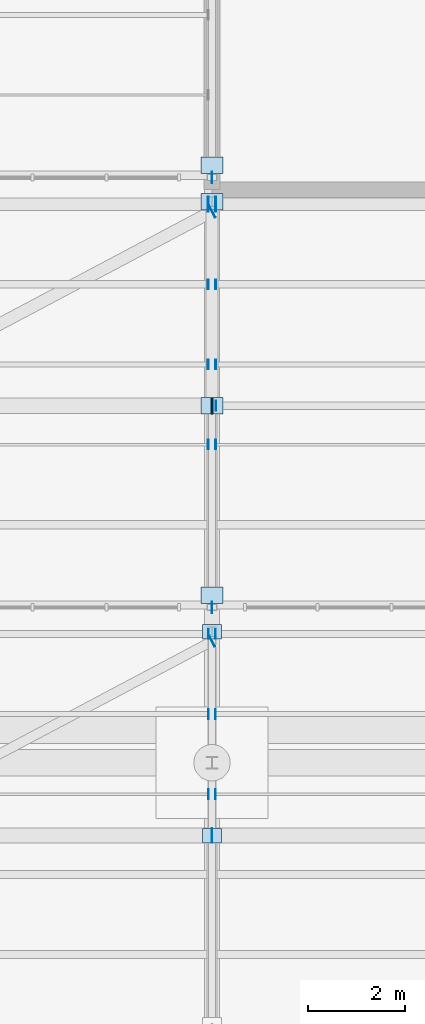
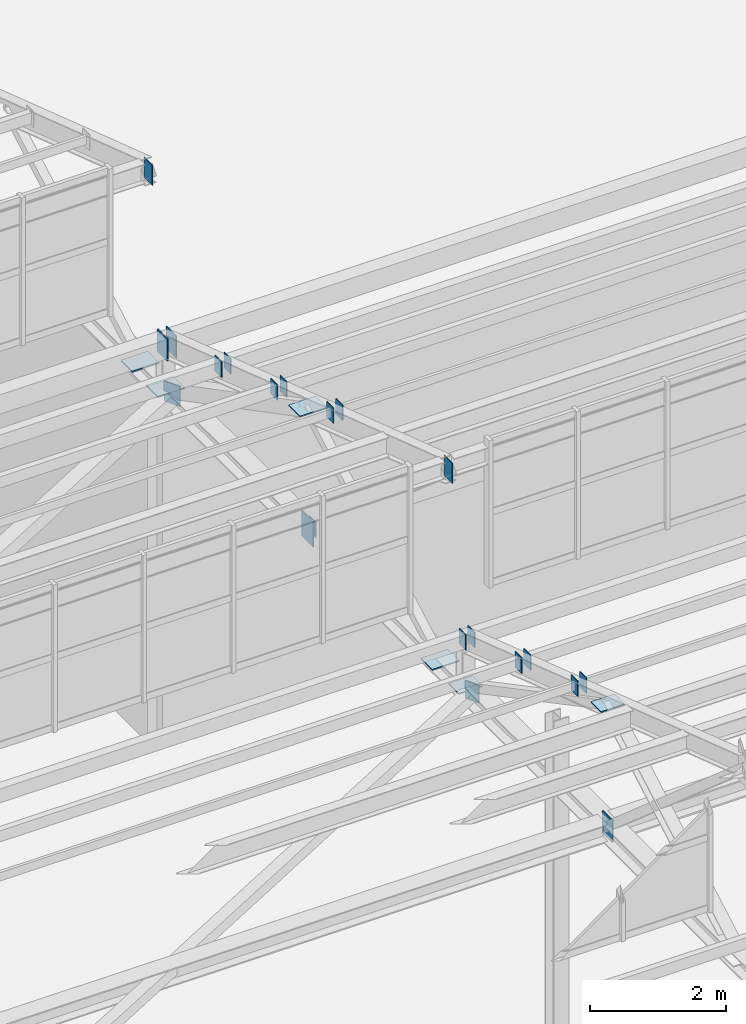
# One storey, part 211 of 285: 27 plates.
"""IFC4 building model written with IfcOpenShell, lengths in metres."""

from ifc_helpers import new_model, si_unit, direction, frame, origin, origin_2d, place, context, subcontext, project, spatial, rectangle, extrude, material, layer, layer_set, type_object, element, save


model = new_model("IFC4")

# Units and contexts
model_context = context("Model", 3, precision=1e-05, world=origin(), true_north=direction((0.0, 1.0)))
body_context = subcontext(model_context, "Body", "Model", "MODEL_VIEW")
ifc_project = project(units=[si_unit("LENGTHUNIT", "METRE"), si_unit("AREAUNIT", "SQUARE_METRE"), si_unit("VOLUMEUNIT", "CUBIC_METRE"), si_unit("PLANEANGLEUNIT", "RADIAN"), si_unit("MASSUNIT", "GRAM", prefix="KILO")], contexts=[model_context])

# Site, building, storey
site_placement = place(None, origin())
site = spatial("IfcSite", under=ifc_project, at=site_placement, CompositionType="ELEMENT")
building_placement = place(site_placement, origin())
building = spatial("IfcBuilding", under=site, at=building_placement, Name="Solanera Park Tramway Depot", CompositionType="ELEMENT")
storey_placement = place(building_placement, origin())
storey = spatial("IfcBuildingStorey", under=building, at=storey_placement, Name="L00", CompositionType="ELEMENT", Elevation=0.0)

# Plates
ifc_material_1 = material(Name="Steel AS/NZS 3679.1 Grade 350", Category="steel")
ifc_layer_1 = layer(ifc_material_1, 0.013916015625)
ifc_layer_set_1 = layer_set([ifc_layer_1], Name="Steel AS/NZS 3679.1 Grade 350")
plate_type_1 = type_object("IfcPlateType", Name="Hollow End Cap and Base Plate 280x200x14", PredefinedType="USERDEFINED", material=ifc_layer_set_1)
for number, where, z_axis, x_axis, name in (
    (1, (59.92529296875, 113.85009765625, 8.41064453125), (0.0, 0.0, 1.0), (1.0, 0.0, 0.0), "Hollow Section Welded End Cap Plate #0690"),
    (2, (60.07470703125, 113.85009765625, 8.41064453125), (0.0, 0.0, 1.0), (1.0, 0.0, 0.0), "Hollow Section Welded End Cap Plate #0691"),
    (3, (59.92529296875, 115.5, 7.8251953125), (0.0, 0.0, 1.0), (1.0, 0.0, 0.0), "Hollow Section Welded End Cap Plate #0710"),
    (4, (60.07470703125, 115.5, 7.8251953125), (0.0, 0.0, 1.0), (1.0, 0.0, 0.0), "Hollow Section Welded End Cap Plate #0711"),
    (5, (59.92529296875, 117.14990234375, 7.23974609375), (0.0, 0.0, 1.0), (1.0, 0.0, 0.0), "Hollow Section Welded End Cap Plate #0730"),
    (6, (60.07470703125, 117.14990234375, 7.23974609375), (0.0, 0.0, 1.0), (1.0, 0.0, 0.0), "Hollow Section Welded End Cap Plate #0731"),
    (7, (59.922119140625, 121.050048828125, 8.96240234375), (0.0, 0.0, 1.0), (1.0, 0.0, 0.0), "Hollow Section Welded End Cap Plate #0819"),
    (8, (60.077880859375, 121.050048828125, 8.96240234375), (0.0, 0.0, 1.0), (1.0, 0.0, 0.0), "Hollow Section Welded End Cap Plate #0820"),
    (9, (59.922119140625, 122.699951171875, 8.376953125), (0.0, 0.0, 1.0), (1.0, 0.0, 0.0), "Hollow Section Welded End Cap Plate #0839"),
    (10, (60.077880859375, 122.699951171875, 8.376953125), (0.0, 0.0, 1.0), (1.0, 0.0, 0.0), "Hollow Section Welded End Cap Plate #0840"),
    (11, (59.922119140625, 124.35009765625, 7.79150390625), (0.0, 0.0, 1.0), (1.0, 0.0, 0.0), "Hollow Section Welded End Cap Plate #0859"),
    (12, (60.077880859375, 124.35009765625, 7.79150390625), (0.0, 0.0, 1.0), (1.0, 0.0, 0.0), "Hollow Section Welded End Cap Plate #0860"),
    (13, (60.0849609375, 121.85009765625, 6.35986328125), (0.0, 0.0, 1.0), (1.0, 0.0, 0.0), "Hollow Section Welded End Cap Plate #0896"),
):
    element("IfcPlate", number, at=place(storey_placement, frame(where, z_axis=z_axis, x_axis=x_axis)), inside=storey, type_object=plate_type_1, Name=name, ObjectType="BASE PLATE", PredefinedType="USERDEFINED", context=body_context, shape_type="SweptSolid", body=[
        extrude(rectangle(XDim=0.013916015625, YDim=0.199951171875, at=origin_2d()), origin(), (0.0, 0.0, 1.0), 0.280029296875),
    ])
ifc_material_2 = material(Name="Steel AS/NZS 3679.1 Grade 350", Category="steel")
ifc_layer_2 = layer(ifc_material_2, 0.01611328125)
ifc_layer_set_2 = layer_set([ifc_layer_2], Name="Steel AS/NZS 3679.1 Grade 350")
plate_type_2 = type_object("IfcPlateType", Name="Hollow End Cap and Base Plate 320x240x16", PredefinedType="USERDEFINED", material=ifc_layer_set_2)
plate_1_placement = place(storey_placement, frame((60.00146484375, 117.001953125, 6.33984375), z_axis=(0.0, 0.0, 1.0), x_axis=(0.883520501477, 0.468392488698, 0.0)))
element("IfcPlate", 14, at=plate_1_placement, inside=storey, type_object=plate_type_2, Name="Hollow Section Welded End Cap Plate #0748", ObjectType="BASE PLATE", PredefinedType="USERDEFINED", context=body_context, shape_type="SweptSolid", body=[
    extrude(rectangle(XDim=0.01611328125, YDim=0.239990234375, at=origin_2d()), origin(), (0.0, 0.0, 1.0), 0.320068359375),
])
ifc_material_3 = material(Name="Steel AS/NZS 3679.1 Grade 350", Category="steel")
ifc_layer_3 = layer(ifc_material_3, 0.01806640625)
ifc_layer_set_3 = layer_set([ifc_layer_3], Name="Steel AS/NZS 3679.1 Grade 350")
plate_type_3 = type_object("IfcPlateType", Name="Hollow End Cap and Base Plate 360x280x18", PredefinedType="USERDEFINED", material=ifc_layer_set_3)
plate_2_placement = place(storey_placement, frame((60.00244140625, 125.852294921875, 6.31982421875), z_axis=(0.0, 0.0, 1.0), x_axis=(0.883520501477, 0.468392488698, 0.0)))
element("IfcPlate", 15, at=plate_2_placement, inside=storey, type_object=plate_type_3, Name="Hollow Section Welded End Cap Plate #0895", ObjectType="BASE PLATE", PredefinedType="USERDEFINED", context=body_context, shape_type="SweptSolid", body=[
    extrude(rectangle(XDim=0.01806640625, YDim=0.280029296875, at=origin_2d()), origin(), (0.0, 0.0, 1.0), 0.360107421875),
])
ifc_material_4 = material(Name="Steel AS/NZS 3679.1 Grade 350", Category="steel")
ifc_layer_4 = layer(ifc_material_4, 0.02001953125)
ifc_layer_set_4 = layer_set([ifc_layer_4], Name="Steel AS/NZS 3679.1 Grade 350")
plate_type_4 = type_object("IfcPlateType", Name="Hollow End Cap and Base Plate 400x300x20", PredefinedType="USERDEFINED", material=ifc_layer_set_4)
plate_3_placement = place(storey_placement, frame((60.0, 113.0, 6.300048828125), z_axis=(0.0, 0.0, 1.0), x_axis=(1.0, 0.0, 0.0)))
element("IfcPlate", 16, at=plate_3_placement, inside=storey, type_object=plate_type_4, Name="Sawtooth Truss Hollow End Cap #0649", ObjectType="BASE PLATE", PredefinedType="USERDEFINED", context=body_context, shape_type="SweptSolid", body=[
    extrude(rectangle(XDim=0.02001953125, YDim=0.300048828125, at=origin_2d()), origin(), (0.0, 0.0, 1.0), 0.39990234375),
])
for number, where, z_axis, x_axis, name in (
    (17, (60.0, 117.199951171875, 6.489990234375), (0.0, 0.0, 1.0), (1.0, 0.0, 0.0), "Sawtooth Truss Node Cap Plate #0650"),
    (18, (60.0, 113.0, 8.70849609375), (0.0, 0.0, 1.0), (1.0, 0.0, 0.0), "Sawtooth Truss Node Cap Plate #0651"),
):
    element("IfcPlate", number, at=place(storey_placement, frame(where, z_axis=z_axis, x_axis=x_axis)), inside=storey, type_object=plate_type_4, Name=name, ObjectType="BASE PLATE", PredefinedType="USERDEFINED", context=body_context, shape_type="SweptSolid", body=[
        extrude(rectangle(XDim=0.39990234375, YDim=0.300048828125, at=origin_2d()), origin(), (0.0, 0.0, 1.0), 0.02001953125),
    ])
for number, where, z_axis, x_axis, name in (
    (19, (59.925048828125, 126.0, 7.11279296875), (0.0, 0.0, 1.0), (1.0, 0.0, 0.0), "Hollow Section Welded End Cap Plate #0879"),
    (20, (60.074951171875, 126.0, 7.11279296875), (0.0, 0.0, 1.0), (1.0, 0.0, 0.0), "Hollow Section Welded End Cap Plate #0880"),
):
    element("IfcPlate", number, at=place(storey_placement, frame(where, z_axis=z_axis, x_axis=x_axis)), inside=storey, type_object=plate_type_4, Name=name, ObjectType="BASE PLATE", PredefinedType="USERDEFINED", context=body_context, shape_type="SweptSolid", body=[
        extrude(rectangle(XDim=0.02001953125, YDim=0.300048828125, at=origin_2d()), origin(), (0.0, 0.0, 1.0), 0.39990234375),
    ])
ifc_material_5 = material(Name="Steel AS/NZS 3679.1 Grade 350", Category="steel")
ifc_layer_5 = layer(ifc_material_5, 0.02197265625)
ifc_layer_set_5 = layer_set([ifc_layer_5], Name="Steel AS/NZS 3679.1 Grade 350")
plate_type_5 = type_object("IfcPlateType", Name="Hollow End Cap and Base Plate 460x340x22", PredefinedType="USERDEFINED", material=ifc_layer_set_5)
plate_4_placement = place(storey_placement, frame((60.0, 121.85009765625, 6.27001953125), z_axis=(0.0, 0.0, 1.0), x_axis=(1.0, 0.0, 0.0)))
element("IfcPlate", 21, at=plate_4_placement, inside=storey, type_object=plate_type_5, Name="Sawtooth Truss Hollow End Cap #0778", ObjectType="BASE PLATE", PredefinedType="USERDEFINED", context=body_context, shape_type="SweptSolid", body=[
    extrude(rectangle(XDim=0.02197265625, YDim=0.340087890625, at=origin_2d()), origin(), (0.0, 0.0, 1.0), 0.4599609375),
])
for number, where, z_axis, x_axis, name in (
    (22, (60.0, 126.050048828125, 6.489013671875), (0.0, 0.0, 1.0), (1.0, 0.0, 0.0), "Sawtooth Truss Node Cap Plate #0779"),
    (23, (60.0, 121.85009765625, 8.68212890625), (0.0, 0.0, 1.0), (1.0, 0.0, 0.0), "Sawtooth Truss Node Cap Plate #0780"),
    (24, (60.0, 117.949951171875, 6.489013671875), (0.0, 0.0, 1.0), (1.0, 0.0, 0.0), "Sawtooth Truss Node Cap Plate #0781"),
    (25, (60.0, 126.800048828125, 6.489013671875), (0.0, 0.0, 1.0), (1.0, 0.0, 0.0), "Sawtooth Truss Node Cap Plate #0923"),
):
    element("IfcPlate", number, at=place(storey_placement, frame(where, z_axis=z_axis, x_axis=x_axis)), inside=storey, type_object=plate_type_5, Name=name, ObjectType="BASE PLATE", PredefinedType="USERDEFINED", context=body_context, shape_type="SweptSolid", body=[
        extrude(rectangle(XDim=0.4599609375, YDim=0.340087890625, at=origin_2d()), origin(), (0.0, 0.0, 1.0), 0.02197265625),
    ])
ifc_material_6 = material(Name="Steel AS/NZS 3679.1 Grade 350", Category="steel")
ifc_layer_6 = layer(ifc_material_6, 0.013916015625)
ifc_layer_set_6 = layer_set([ifc_layer_6], Name="Steel AS/NZS 3679.1 Grade 350")
plate_type_6 = type_object("IfcPlateType", Name="Truss Node Gusset Stiffener 360x240x14", PredefinedType="SHEET", material=ifc_layer_set_6)
for number, where, z_axis, x_axis, name in (
    (26, (60.0, 117.699951171875, 9.9013671875), (0.0, 0.0, 1.0), (1.0, 0.0, 0.0), "Sawtooth Truss Apex Gusset Plate #0777"),
    (27, (60.0, 126.550048828125, 9.9013671875), (0.0, 0.0, 1.0), (1.0, 0.0, 0.0), "Sawtooth Truss Apex Gusset Plate #0919"),
):
    element("IfcPlate", number, at=place(storey_placement, frame(where, z_axis=z_axis, x_axis=x_axis)), inside=storey, type_object=plate_type_6, Name=name, PredefinedType="SHEET", context=body_context, shape_type="SweptSolid", body=[
        extrude(rectangle(XDim=0.013916015625, YDim=0.239990234375, at=origin_2d()), origin(), (0.0, 0.0, 1.0), 0.360107421875),
    ])

save(model, "model.ifc")
